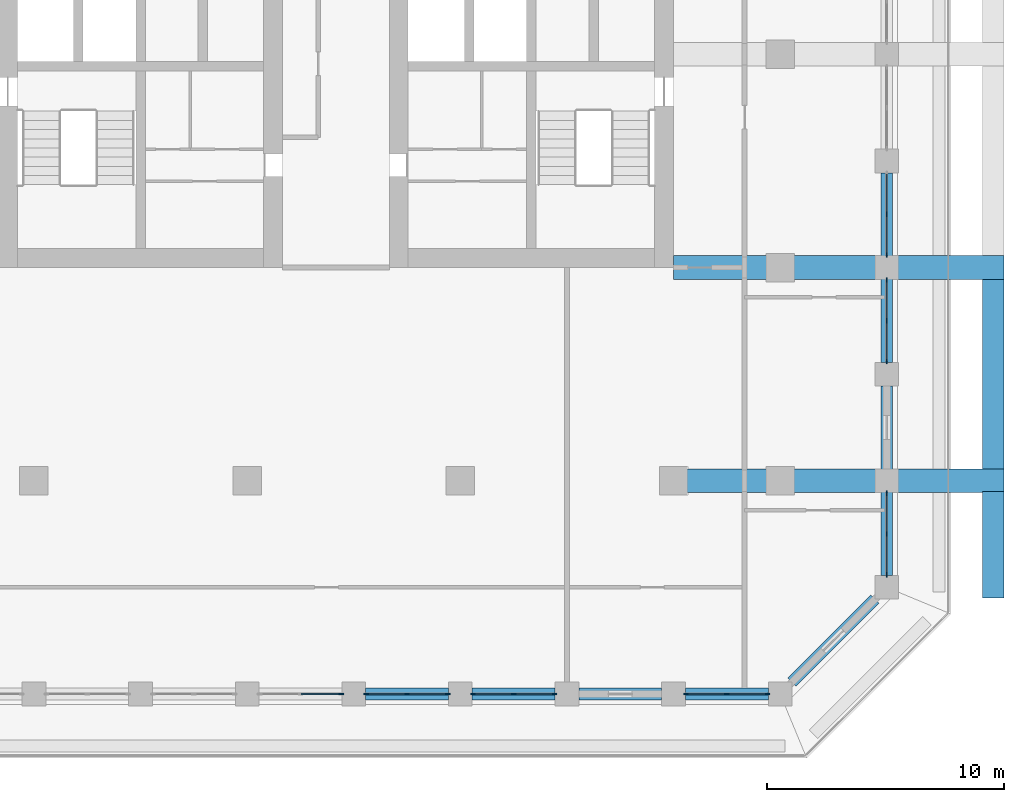
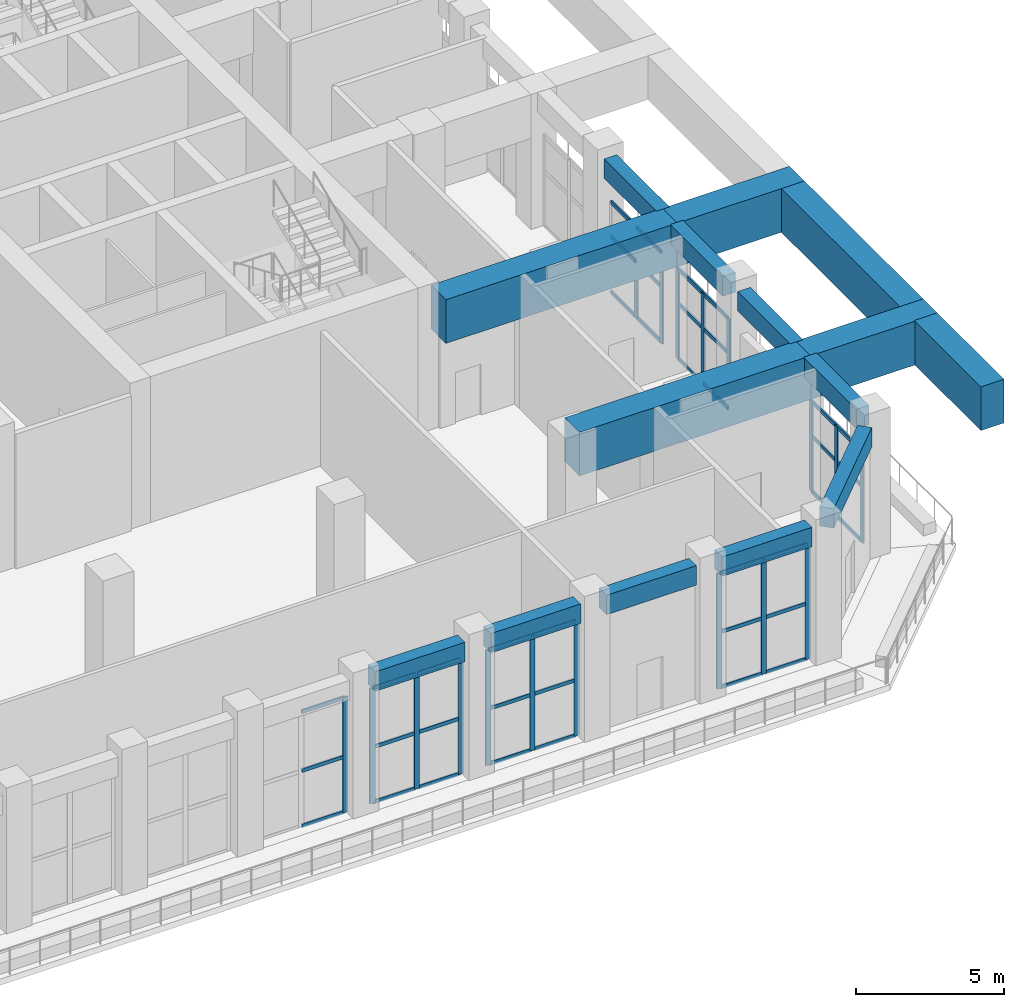
# One storey, part 4 of 25: 57 members, 15 beams, 7 elements without a shape of their own.
"""IFC4 building model written with IfcOpenShell, lengths in metres."""

import ifcopenshell
import ifcopenshell.guid

model = None  # the IFC model being written
_history = None  # IfcOwnerHistory: only IFC2X3 demands one
_inside = {}  # id of a spatial element -> (the spatial element, [elements in it])
_under = {}  # id of a project, library or spatial element -> (it, [spatial elements below it])
_declared = {}  # id of a project -> (the project, [libraries it declares])
_typed = {}  # id of a type object -> (the type object, [elements of that type])
_made_of = {}  # id of a material, layer set ... -> (it, [elements and type objects made of it])


def new_model(schema):
    """Start an empty IFC model of exactly this schema.

    Asked for "IFC4X3", IfcOpenShell would pick the latest addendum, in which some entities
    have other attributes; the version numbers below select the first issue.
    IFC2X3 requires an IfcOwnerHistory on every rooted entity: one is made here for all.
    """
    global model, _history
    if schema == "IFC4X3":
        model = ifcopenshell.file(schema_version=(4, 3, 0, 0))
    else:
        model = ifcopenshell.file(schema=schema)
    _inside.clear()
    _under.clear()
    _declared.clear()
    _typed.clear()
    _made_of.clear()
    _history = None
    if model.schema == "IFC2X3":
        org = make("IfcOrganization", Name="unknown")
        user = make(
            "IfcPersonAndOrganization",
            ThePerson=make("IfcPerson", FamilyName="unknown"),
            TheOrganization=org,
        )
        app = make(
            "IfcApplication",
            ApplicationDeveloper=org,
            Version="unknown",
            ApplicationFullName="unknown",
            ApplicationIdentifier="unknown",
        )
        _history = make(
            "IfcOwnerHistory",
            OwningUser=user,
            OwningApplication=app,
            ChangeAction="ADDED",
            CreationDate=0,
        )
    return model


def make(cls, **values):
    """One entity of the class cls with the attributes given. An attribute that is None is left unset."""
    return model.create_entity(
        cls, **{name: value for name, value in values.items() if value is not None}
    )


def rooted(cls, **values):
    """An entity with a GlobalId (a new one), such as an element, a storey or a relation."""
    return make(cls, GlobalId=ifcopenshell.guid.new(), OwnerHistory=_history, **values)


def si_unit(unit_type, name, prefix=None):
    """IfcSIUnit, for example si_unit("LENGTHUNIT", "METRE", prefix="MILLI")."""
    return make("IfcSIUnit", UnitType=unit_type, Prefix=prefix, Name=name)


def assignment(units):
    """IfcUnitAssignment: the units of a project."""
    return None if units is None else make("IfcUnitAssignment", Units=units)


def point(xyz):
    """IfcCartesianPoint."""
    return None if xyz is None else make("IfcCartesianPoint", Coordinates=xyz)


def direction(xyz):
    """IfcDirection."""
    return None if xyz is None else make("IfcDirection", DirectionRatios=xyz)


def frame(location, z_axis=None, x_axis=None):
    """IfcAxis2Placement3D, a coordinate frame: its origin and axes. An axis left out is left unset."""
    return make(
        "IfcAxis2Placement3D",
        Location=point(location),
        Axis=direction(z_axis),
        RefDirection=direction(x_axis),
    )


def frame_2d(location, x_axis=None):
    """IfcAxis2Placement2D, a coordinate frame in the plane: its origin and x axis."""
    return make(
        "IfcAxis2Placement2D", Location=point(location), RefDirection=direction(x_axis)
    )


def origin():
    """The frame at (0, 0, 0) with its axes left unset."""
    return frame((0.0, 0.0, 0.0))


def origin_2d():
    """The frame at (0, 0) in the plane with its x axis left unset."""
    return frame_2d((0.0, 0.0))


def place(relative_to, where):
    """IfcLocalPlacement: puts the frame where relative to a parent placement (None: the world)."""
    return make(
        "IfcLocalPlacement", PlacementRelTo=relative_to, RelativePlacement=where
    )


def context(
    kind, dimensions, precision=None, world=None, true_north=None, identifier=None
):
    """IfcGeometricRepresentationContext, for example the 3D "Model" context."""
    return make(
        "IfcGeometricRepresentationContext",
        ContextIdentifier=identifier,
        ContextType=kind,
        CoordinateSpaceDimension=dimensions,
        Precision=precision,
        WorldCoordinateSystem=world,
        TrueNorth=true_north,
    )


def subcontext(parent, identifier, kind, view, scale=None):
    """IfcGeometricRepresentationSubContext, for example "Body" below "Model"."""
    return make(
        "IfcGeometricRepresentationSubContext",
        ContextIdentifier=identifier,
        ContextType=kind,
        ParentContext=parent,
        TargetScale=scale,
        TargetView=view,
    )


def project(units=None, contexts=None):
    """IfcProject with its units and contexts."""
    return rooted(
        "IfcProject",
        Name="project",
        RepresentationContexts=contexts,
        UnitsInContext=assignment(units),
    )


def spatial(cls, under=None, at=None, **own):
    """A site, building, storey or space (cls), placed at a placement, below another one or the project."""
    s = rooted(cls, ObjectPlacement=at, **own)
    if under is not None:
        _under.setdefault(under.id(), (under, []))[1].append(s)
    return s


def profile(cls, at=None, kind="AREA", **sizes):
    """A parametric profile (cls). Its sizes go by their IFC names, for example OverallWidth=200.0."""
    return make(cls, ProfileType=kind, Position=at, **sizes)


def rectangle(**sizes):
    """IfcRectangleProfileDef."""
    return profile("IfcRectangleProfileDef", **sizes)


def extrude(swept, where, along, depth):
    """IfcExtrudedAreaSolid: the profile swept, set in the frame where, extruded along a direction by depth."""
    return make(
        "IfcExtrudedAreaSolid",
        SweptArea=swept,
        Position=where,
        ExtrudedDirection=direction(along),
        Depth=depth,
    )


def shape(context_of_items, identifier, shape_type, items):
    """IfcShapeRepresentation: the items that make up one representation, for example the "Body"."""
    return make(
        "IfcShapeRepresentation",
        ContextOfItems=context_of_items,
        RepresentationIdentifier=identifier,
        RepresentationType=shape_type,
        Items=items,
    )


def material(Name=None, Category=None):
    """IfcMaterial."""
    return make("IfcMaterial", Name=Name, Category=Category)


def material_profile(
    of_material, cross_section, Name=None, Category=None, Priority=None
):
    """IfcMaterialProfile: a cross section and its material."""
    return make(
        "IfcMaterialProfile",
        Name=Name,
        Material=of_material,
        Profile=cross_section,
        Priority=Priority,
        Category=Category,
    )


def profile_set(profiles, Name=None, composite=None):
    """IfcMaterialProfileSet."""
    return make(
        "IfcMaterialProfileSet",
        Name=Name,
        MaterialProfiles=profiles,
        CompositeProfile=composite,
    )


def made_of(thing, what):
    """Note that an element or type object is made of a material, layer set ...; save() writes the relation."""
    if what is not None:
        _made_of.setdefault(what.id(), (what, []))[1].append(thing)
    return thing


def type_object(cls, material=None, **own):
    """A type object (cls), such as IfcWallType, which elements share."""
    return made_of(rooted(cls, **own), material)


def element(
    cls,
    number,
    at=None,
    inside=None,
    cuts=None,
    type_object=None,
    material=None,
    context=None,
    identifier="Body",
    shape_type=None,
    held_by="IfcProductDefinitionShape",
    body=None,
    shapes=None,
    **own,
):
    """One element of the class cls, such as IfcWall. Its Tag is "e" and its number.

    at: its placement. inside: the storey or other place that contains it. cuts: it is an
    opening in that element (IfcRelVoidsElement). A single representation is given by context,
    identifier, shape_type and body (its items); several are given by shapes. held_by: the class
    of the entity that holds the representations. save() writes the other relations.
    """
    e = rooted(cls, Tag="e%d" % number, ObjectPlacement=at, **own)
    if body is not None:
        shapes = [shape(context, identifier, shape_type, body)]
    if shapes is not None:
        e.Representation = make(held_by, Representations=shapes)
    if inside is not None:
        _inside.setdefault(inside.id(), (inside, []))[1].append(e)
    if cuts is not None:
        rooted(
            "IfcRelVoidsElement", RelatingBuildingElement=cuts, RelatedOpeningElement=e
        )
    if type_object is not None:
        _typed.setdefault(type_object.id(), (type_object, []))[1].append(e)
    return made_of(e, material)


def aggregate(whole, parts):
    """IfcRelAggregates: a whole, such as a stair, and the parts it consists of."""
    return rooted("IfcRelAggregates", RelatingObject=whole, RelatedObjects=parts)


def save(model, path):
    """Write the relations noted so far, then the file.

    IfcRelAggregates (storeys below a building ...), IfcRelContainedInSpatialStructure (elements
    in a storey), IfcRelDefinesByType, IfcRelAssociatesMaterial and IfcRelDeclares: one each for
    every whole, place, type object, material and project.
    """
    for whole, parts in _under.values():
        aggregate(whole, parts)
    for where, things in _inside.values():
        rooted(
            "IfcRelContainedInSpatialStructure",
            RelatedElements=things,
            RelatingStructure=where,
        )
    for kind, things in _typed.values():
        rooted("IfcRelDefinesByType", RelatedObjects=things, RelatingType=kind)
    for what, things in _made_of.values():
        rooted("IfcRelAssociatesMaterial", RelatedObjects=things, RelatingMaterial=what)
    for by, libraries in _declared.values():
        rooted("IfcRelDeclares", RelatingContext=by, RelatedDefinitions=libraries)
    model.write(path)


model = new_model("IFC4")

# Units and contexts
model_context = context("Model", 3, precision=1e-05, world=origin(), true_north=direction((0.0, 1.0)))
body_context = subcontext(model_context, "Body", "Model", "MODEL_VIEW")
ifc_project = project(units=[si_unit("LENGTHUNIT", "METRE"), si_unit("AREAUNIT", "SQUARE_METRE"), si_unit("VOLUMEUNIT", "CUBIC_METRE"), si_unit("PLANEANGLEUNIT", "RADIAN"), si_unit("MASSUNIT", "GRAM", prefix="KILO")], contexts=[model_context])

# Site, building, storey
site_placement = place(None, origin())
site = spatial("IfcSite", under=ifc_project, at=site_placement, CompositionType="ELEMENT")
building_placement = place(site_placement, origin())
building = spatial("IfcBuilding", under=site, at=building_placement, Name="Corbel Stack Research Tower", CompositionType="ELEMENT")
storey_placement = place(building_placement, frame((0.0, 0.0, 185.5)))
storey = spatial("IfcBuildingStorey", under=building, at=storey_placement, Name="L42", CompositionType="ELEMENT", Elevation=185.5)

# Curtain wall, member
ifc_material_1 = material(Name="Aluminium frame, clear glass", Category="aluminium")
curtain_wall_type = type_object("IfcCurtainWallType", Name="Upper amenity floor curtain wall CW3", PredefinedType="NOTDEFINED", material=ifc_material_1)
curtain_wall_1_placement = place(storey_placement, origin())
curtain_wall_1 = element("IfcCurtainWall", 1, at=curtain_wall_1_placement, inside=storey, type_object=curtain_wall_type, Name="Curtain wall CW3 L42 S06", PredefinedType="NOTDEFINED")
ifc_material_2 = material(Name="Aluminium mullion", Category="aluminium")
ifc_material_profile_1 = material_profile(ifc_material_2, rectangle(XDim=0.06005859375, YDim=0.199951171875, at=origin_2d()), Name="Mullion 60 x 200")
ifc_profile_set_1 = profile_set([ifc_material_profile_1], Name="Aluminium mullion")
member_type_1 = type_object("IfcMemberType", Name="Curtain wall mullion 60 x 200", PredefinedType="MULLION", material=ifc_profile_set_1)
member_1_placement = place(storey_placement, frame((3.969970703125, -27.0, 0.0), z_axis=(0.0, 0.0, 1.0), x_axis=(0.0, 1.0, 0.0)))
member_1 = element("IfcMember", 2, at=member_1_placement, type_object=member_type_1, Name="CW3 mullion 3", PredefinedType="MULLION", context=body_context, shape_type="SweptSolid", body=[
    extrude(rectangle(XDim=0.06005859375, YDim=0.199951171875, at=origin_2d()), origin(), (0.0, 0.0, 1.0), 4.75),
])

# Curtain wall, members
curtain_wall_2_placement = place(storey_placement, origin())
curtain_wall_2 = element("IfcCurtainWall", 3, at=curtain_wall_2_placement, inside=storey, type_object=curtain_wall_type, Name="Curtain wall CW3 L42 S07", PredefinedType="NOTDEFINED")
member_2_placement = place(storey_placement, frame((5.030029296875, -27.0, 0.0), z_axis=(0.0, 0.0, 1.0), x_axis=(0.0, 1.0, 0.0)))
member_2 = element("IfcMember", 4, at=member_2_placement, type_object=member_type_1, Name="CW3 mullion 1", PredefinedType="MULLION", context=body_context, shape_type="SweptSolid", body=[
    extrude(rectangle(XDim=0.06005859375, YDim=0.199951171875, at=origin_2d()), origin(), (0.0, 0.0, 1.0), 4.75),
])
member_3_placement = place(storey_placement, frame((6.75, -27.0, 0.0), z_axis=(0.0, 0.0, 1.0), x_axis=(0.0, 1.0, 0.0)))
member_3 = element("IfcMember", 5, at=member_3_placement, type_object=member_type_1, Name="CW3 mullion 2", PredefinedType="MULLION", context=body_context, shape_type="SweptSolid", body=[
    extrude(rectangle(XDim=0.06005859375, YDim=0.199951171875, at=origin_2d()), origin(), (0.0, 0.0, 1.0), 4.75),
])
member_4_placement = place(storey_placement, frame((8.469970703125, -27.0, 0.0), z_axis=(0.0, 0.0, 1.0), x_axis=(0.0, 1.0, 0.0)))
member_4 = element("IfcMember", 6, at=member_4_placement, type_object=member_type_1, Name="CW3 mullion 3", PredefinedType="MULLION", context=body_context, shape_type="SweptSolid", body=[
    extrude(rectangle(XDim=0.06005859375, YDim=0.199951171875, at=origin_2d()), origin(), (0.0, 0.0, 1.0), 4.75),
])

curtain_wall_3_placement = place(storey_placement, origin())
curtain_wall_3 = element("IfcCurtainWall", 7, at=curtain_wall_3_placement, inside=storey, type_object=curtain_wall_type, Name="Curtain wall CW3 L42 S08", PredefinedType="NOTDEFINED")
member_5_placement = place(storey_placement, frame((9.530029296875, -27.0, 0.0), z_axis=(0.0, 0.0, 1.0), x_axis=(0.0, 1.0, 0.0)))
member_5 = element("IfcMember", 8, at=member_5_placement, type_object=member_type_1, Name="CW3 mullion 1", PredefinedType="MULLION", context=body_context, shape_type="SweptSolid", body=[
    extrude(rectangle(XDim=0.06005859375, YDim=0.199951171875, at=origin_2d()), origin(), (0.0, 0.0, 1.0), 4.75),
])
member_6_placement = place(storey_placement, frame((11.25, -27.0, 0.0), z_axis=(0.0, 0.0, 1.0), x_axis=(0.0, 1.0, 0.0)))
member_6 = element("IfcMember", 9, at=member_6_placement, type_object=member_type_1, Name="CW3 mullion 2", PredefinedType="MULLION", context=body_context, shape_type="SweptSolid", body=[
    extrude(rectangle(XDim=0.06005859375, YDim=0.199951171875, at=origin_2d()), origin(), (0.0, 0.0, 1.0), 4.75),
])
member_7_placement = place(storey_placement, frame((12.969970703125, -27.0, 0.0), z_axis=(0.0, 0.0, 1.0), x_axis=(0.0, 1.0, 0.0)))
member_7 = element("IfcMember", 10, at=member_7_placement, type_object=member_type_1, Name="CW3 mullion 3", PredefinedType="MULLION", context=body_context, shape_type="SweptSolid", body=[
    extrude(rectangle(XDim=0.06005859375, YDim=0.199951171875, at=origin_2d()), origin(), (0.0, 0.0, 1.0), 4.75),
])

curtain_wall_4_placement = place(storey_placement, origin())
curtain_wall_4 = element("IfcCurtainWall", 11, at=curtain_wall_4_placement, inside=storey, type_object=curtain_wall_type, Name="Curtain wall CW3 L42 S10", PredefinedType="NOTDEFINED")
member_8_placement = place(storey_placement, frame((18.530029296875, -27.0, 0.0), z_axis=(0.0, 0.0, 1.0), x_axis=(0.0, 1.0, 0.0)))
member_8 = element("IfcMember", 12, at=member_8_placement, type_object=member_type_1, Name="CW3 mullion 1", PredefinedType="MULLION", context=body_context, shape_type="SweptSolid", body=[
    extrude(rectangle(XDim=0.06005859375, YDim=0.199951171875, at=origin_2d()), origin(), (0.0, 0.0, 1.0), 4.75),
])
member_9_placement = place(storey_placement, frame((20.25, -27.0, 0.0), z_axis=(0.0, 0.0, 1.0), x_axis=(0.0, 1.0, 0.0)))
member_9 = element("IfcMember", 13, at=member_9_placement, type_object=member_type_1, Name="CW3 mullion 2", PredefinedType="MULLION", context=body_context, shape_type="SweptSolid", body=[
    extrude(rectangle(XDim=0.06005859375, YDim=0.199951171875, at=origin_2d()), origin(), (0.0, 0.0, 1.0), 4.75),
])
member_10_placement = place(storey_placement, frame((21.969970703125, -27.0, 0.0), z_axis=(0.0, 0.0, 1.0), x_axis=(0.0, 1.0, 0.0)))
member_10 = element("IfcMember", 14, at=member_10_placement, type_object=member_type_1, Name="CW3 mullion 3", PredefinedType="MULLION", context=body_context, shape_type="SweptSolid", body=[
    extrude(rectangle(XDim=0.06005859375, YDim=0.199951171875, at=origin_2d()), origin(), (0.0, 0.0, 1.0), 4.75),
])

curtain_wall_5_placement = place(storey_placement, origin())
curtain_wall_5 = element("IfcCurtainWall", 15, at=curtain_wall_5_placement, inside=storey, type_object=curtain_wall_type, Name="Curtain wall CW3 L42 E01", PredefinedType="NOTDEFINED")
member_11_placement = place(storey_placement, frame((27.0, -21.969970703125, 0.0), z_axis=(0.0, 0.0, 1.0), x_axis=(-1.0, 0.0, 0.0)))
member_11 = element("IfcMember", 16, at=member_11_placement, type_object=member_type_1, Name="CW3 mullion 1", PredefinedType="MULLION", context=body_context, shape_type="SweptSolid", body=[
    extrude(rectangle(XDim=0.06005859375, YDim=0.199951171875, at=origin_2d()), origin(), (0.0, 0.0, 1.0), 3.75),
])
member_12_placement = place(storey_placement, frame((27.0, -20.25, 0.0), z_axis=(0.0, 0.0, 1.0), x_axis=(-1.0, 0.0, 0.0)))
member_12 = element("IfcMember", 17, at=member_12_placement, type_object=member_type_1, Name="CW3 mullion 2", PredefinedType="MULLION", context=body_context, shape_type="SweptSolid", body=[
    extrude(rectangle(XDim=0.06005859375, YDim=0.199951171875, at=origin_2d()), origin(), (0.0, 0.0, 1.0), 3.75),
])
member_13_placement = place(storey_placement, frame((27.0, -18.530029296875, 0.0), z_axis=(0.0, 0.0, 1.0), x_axis=(-1.0, 0.0, 0.0)))
member_13 = element("IfcMember", 18, at=member_13_placement, type_object=member_type_1, Name="CW3 mullion 3", PredefinedType="MULLION", context=body_context, shape_type="SweptSolid", body=[
    extrude(rectangle(XDim=0.06005859375, YDim=0.199951171875, at=origin_2d()), origin(), (0.0, 0.0, 1.0), 3.75),
])

curtain_wall_6_placement = place(storey_placement, origin())
curtain_wall_6 = element("IfcCurtainWall", 19, at=curtain_wall_6_placement, inside=storey, type_object=curtain_wall_type, Name="Curtain wall CW3 L42 E03", PredefinedType="NOTDEFINED")
member_14_placement = place(storey_placement, frame((27.0, -12.969970703125, 0.0), z_axis=(0.0, 0.0, 1.0), x_axis=(-1.0, 0.0, 0.0)))
member_14 = element("IfcMember", 20, at=member_14_placement, type_object=member_type_1, Name="CW3 mullion 1", PredefinedType="MULLION", context=body_context, shape_type="SweptSolid", body=[
    extrude(rectangle(XDim=0.06005859375, YDim=0.199951171875, at=origin_2d()), origin(), (0.0, 0.0, 1.0), 3.75),
])
member_15_placement = place(storey_placement, frame((27.0, -11.25, 0.0), z_axis=(0.0, 0.0, 1.0), x_axis=(-1.0, 0.0, 0.0)))
member_15 = element("IfcMember", 21, at=member_15_placement, type_object=member_type_1, Name="CW3 mullion 2", PredefinedType="MULLION", context=body_context, shape_type="SweptSolid", body=[
    extrude(rectangle(XDim=0.06005859375, YDim=0.199951171875, at=origin_2d()), origin(), (0.0, 0.0, 1.0), 3.75),
])
member_16_placement = place(storey_placement, frame((27.0, -9.530029296875, 0.0), z_axis=(0.0, 0.0, 1.0), x_axis=(-1.0, 0.0, 0.0)))
member_16 = element("IfcMember", 22, at=member_16_placement, type_object=member_type_1, Name="CW3 mullion 3", PredefinedType="MULLION", context=body_context, shape_type="SweptSolid", body=[
    extrude(rectangle(XDim=0.06005859375, YDim=0.199951171875, at=origin_2d()), origin(), (0.0, 0.0, 1.0), 3.75),
])

curtain_wall_7_placement = place(storey_placement, origin())
curtain_wall_7 = element("IfcCurtainWall", 23, at=curtain_wall_7_placement, inside=storey, type_object=curtain_wall_type, Name="Curtain wall CW3 L42 E04", PredefinedType="NOTDEFINED")
member_17_placement = place(storey_placement, frame((27.0, -8.469970703125, 0.0), z_axis=(0.0, 0.0, 1.0), x_axis=(-1.0, 0.0, 0.0)))
member_17 = element("IfcMember", 24, at=member_17_placement, type_object=member_type_1, Name="CW3 mullion 1", PredefinedType="MULLION", context=body_context, shape_type="SweptSolid", body=[
    extrude(rectangle(XDim=0.06005859375, YDim=0.199951171875, at=origin_2d()), origin(), (0.0, 0.0, 1.0), 3.75),
])
member_18_placement = place(storey_placement, frame((27.0, -6.75, 0.0), z_axis=(0.0, 0.0, 1.0), x_axis=(-1.0, 0.0, 0.0)))
member_18 = element("IfcMember", 25, at=member_18_placement, type_object=member_type_1, Name="CW3 mullion 2", PredefinedType="MULLION", context=body_context, shape_type="SweptSolid", body=[
    extrude(rectangle(XDim=0.06005859375, YDim=0.199951171875, at=origin_2d()), origin(), (0.0, 0.0, 1.0), 3.75),
])

# Member
ifc_material_3 = material(Name="Aluminium transom", Category="aluminium")
ifc_material_profile_2 = material_profile(ifc_material_3, rectangle(XDim=0.06005859375, YDim=0.14990234375, at=origin_2d()), Name="Transom 60 x 150")
ifc_profile_set_2 = profile_set([ifc_material_profile_2], Name="Aluminium transom")
member_type_2 = type_object("IfcMemberType", Name="Curtain wall transom 60 x 150", PredefinedType="USERDEFINED", material=ifc_profile_set_2)
member_19_placement = place(storey_placement, frame((2.280029296875, -27.0, 0.030029296875), z_axis=(1.0, 0.0, 0.0), x_axis=(0.0, 1.0, 0.0)))
member_19 = element("IfcMember", 26, at=member_19_placement, type_object=member_type_2, Name="CW3 transom 2.1", ObjectType="TRANSOM", PredefinedType="USERDEFINED", context=body_context, shape_type="SweptSolid", body=[
    extrude(rectangle(XDim=0.06005859375, YDim=0.14990234375, at=origin_2d()), origin(), (0.0, 0.0, 1.0), 1.659912109375),
])

member_20_placement = place(storey_placement, frame((2.280029296875, -27.0, 2.300048828125), z_axis=(1.0, 0.0, 0.0), x_axis=(0.0, 1.0, 0.0)))
member_20 = element("IfcMember", 27, at=member_20_placement, type_object=member_type_2, Name="CW3 transom 2.2", ObjectType="TRANSOM", PredefinedType="USERDEFINED", context=body_context, shape_type="SweptSolid", body=[
    extrude(rectangle(XDim=0.06005859375, YDim=0.14990234375, at=origin_2d()), origin(), (0.0, 0.0, 1.0), 1.659912109375),
])

member_21_placement = place(storey_placement, frame((2.280029296875, -27.0, 4.719970703125), z_axis=(1.0, 0.0, 0.0), x_axis=(0.0, 1.0, 0.0)))
member_21 = element("IfcMember", 28, at=member_21_placement, type_object=member_type_2, Name="CW3 transom 2.3", ObjectType="TRANSOM", PredefinedType="USERDEFINED", context=body_context, shape_type="SweptSolid", body=[
    extrude(rectangle(XDim=0.06005859375, YDim=0.14990234375, at=origin_2d()), origin(), (0.0, 0.0, 1.0), 1.659912109375),
])

aggregate(curtain_wall_1, [member_1, member_19, member_20, member_21])

member_22_placement = place(storey_placement, frame((5.06005859375, -27.0, 0.030029296875), z_axis=(1.0, 0.0, 0.0), x_axis=(0.0, 1.0, 0.0)))
member_22 = element("IfcMember", 29, at=member_22_placement, type_object=member_type_2, Name="CW3 transom 1.1", ObjectType="TRANSOM", PredefinedType="USERDEFINED", context=body_context, shape_type="SweptSolid", body=[
    extrude(rectangle(XDim=0.06005859375, YDim=0.14990234375, at=origin_2d()), origin(), (0.0, 0.0, 1.0), 1.659912109375),
])

member_23_placement = place(storey_placement, frame((5.06005859375, -27.0, 2.300048828125), z_axis=(1.0, 0.0, 0.0), x_axis=(0.0, 1.0, 0.0)))
member_23 = element("IfcMember", 30, at=member_23_placement, type_object=member_type_2, Name="CW3 transom 1.2", ObjectType="TRANSOM", PredefinedType="USERDEFINED", context=body_context, shape_type="SweptSolid", body=[
    extrude(rectangle(XDim=0.06005859375, YDim=0.14990234375, at=origin_2d()), origin(), (0.0, 0.0, 1.0), 1.659912109375),
])

member_24_placement = place(storey_placement, frame((5.06005859375, -27.0, 4.719970703125), z_axis=(1.0, 0.0, 0.0), x_axis=(0.0, 1.0, 0.0)))
member_24 = element("IfcMember", 31, at=member_24_placement, type_object=member_type_2, Name="CW3 transom 1.3", ObjectType="TRANSOM", PredefinedType="USERDEFINED", context=body_context, shape_type="SweptSolid", body=[
    extrude(rectangle(XDim=0.06005859375, YDim=0.14990234375, at=origin_2d()), origin(), (0.0, 0.0, 1.0), 1.659912109375),
])

member_25_placement = place(storey_placement, frame((6.780029296875, -27.0, 0.030029296875), z_axis=(1.0, 0.0, 0.0), x_axis=(0.0, 1.0, 0.0)))
member_25 = element("IfcMember", 32, at=member_25_placement, type_object=member_type_2, Name="CW3 transom 2.1", ObjectType="TRANSOM", PredefinedType="USERDEFINED", context=body_context, shape_type="SweptSolid", body=[
    extrude(rectangle(XDim=0.06005859375, YDim=0.14990234375, at=origin_2d()), origin(), (0.0, 0.0, 1.0), 1.659912109375),
])

member_26_placement = place(storey_placement, frame((6.780029296875, -27.0, 2.300048828125), z_axis=(1.0, 0.0, 0.0), x_axis=(0.0, 1.0, 0.0)))
member_26 = element("IfcMember", 33, at=member_26_placement, type_object=member_type_2, Name="CW3 transom 2.2", ObjectType="TRANSOM", PredefinedType="USERDEFINED", context=body_context, shape_type="SweptSolid", body=[
    extrude(rectangle(XDim=0.06005859375, YDim=0.14990234375, at=origin_2d()), origin(), (0.0, 0.0, 1.0), 1.659912109375),
])

member_27_placement = place(storey_placement, frame((6.780029296875, -27.0, 4.719970703125), z_axis=(1.0, 0.0, 0.0), x_axis=(0.0, 1.0, 0.0)))
member_27 = element("IfcMember", 34, at=member_27_placement, type_object=member_type_2, Name="CW3 transom 2.3", ObjectType="TRANSOM", PredefinedType="USERDEFINED", context=body_context, shape_type="SweptSolid", body=[
    extrude(rectangle(XDim=0.06005859375, YDim=0.14990234375, at=origin_2d()), origin(), (0.0, 0.0, 1.0), 1.659912109375),
])

aggregate(curtain_wall_2, [member_2, member_3, member_4, member_22, member_23, member_24, member_25, member_26, member_27])

member_28_placement = place(storey_placement, frame((9.56005859375, -27.0, 0.030029296875), z_axis=(1.0, 0.0, 0.0), x_axis=(0.0, 1.0, 0.0)))
member_28 = element("IfcMember", 35, at=member_28_placement, type_object=member_type_2, Name="CW3 transom 1.1", ObjectType="TRANSOM", PredefinedType="USERDEFINED", context=body_context, shape_type="SweptSolid", body=[
    extrude(rectangle(XDim=0.06005859375, YDim=0.14990234375, at=origin_2d()), origin(), (0.0, 0.0, 1.0), 1.659912109375),
])

member_29_placement = place(storey_placement, frame((9.56005859375, -27.0, 2.300048828125), z_axis=(1.0, 0.0, 0.0), x_axis=(0.0, 1.0, 0.0)))
member_29 = element("IfcMember", 36, at=member_29_placement, type_object=member_type_2, Name="CW3 transom 1.2", ObjectType="TRANSOM", PredefinedType="USERDEFINED", context=body_context, shape_type="SweptSolid", body=[
    extrude(rectangle(XDim=0.06005859375, YDim=0.14990234375, at=origin_2d()), origin(), (0.0, 0.0, 1.0), 1.659912109375),
])

member_30_placement = place(storey_placement, frame((9.56005859375, -27.0, 4.719970703125), z_axis=(1.0, 0.0, 0.0), x_axis=(0.0, 1.0, 0.0)))
member_30 = element("IfcMember", 37, at=member_30_placement, type_object=member_type_2, Name="CW3 transom 1.3", ObjectType="TRANSOM", PredefinedType="USERDEFINED", context=body_context, shape_type="SweptSolid", body=[
    extrude(rectangle(XDim=0.06005859375, YDim=0.14990234375, at=origin_2d()), origin(), (0.0, 0.0, 1.0), 1.659912109375),
])

member_31_placement = place(storey_placement, frame((11.280029296875, -27.0, 0.030029296875), z_axis=(1.0, 0.0, 0.0), x_axis=(0.0, 1.0, 0.0)))
member_31 = element("IfcMember", 38, at=member_31_placement, type_object=member_type_2, Name="CW3 transom 2.1", ObjectType="TRANSOM", PredefinedType="USERDEFINED", context=body_context, shape_type="SweptSolid", body=[
    extrude(rectangle(XDim=0.06005859375, YDim=0.14990234375, at=origin_2d()), origin(), (0.0, 0.0, 1.0), 1.659912109375),
])

member_32_placement = place(storey_placement, frame((11.280029296875, -27.0, 2.300048828125), z_axis=(1.0, 0.0, 0.0), x_axis=(0.0, 1.0, 0.0)))
member_32 = element("IfcMember", 39, at=member_32_placement, type_object=member_type_2, Name="CW3 transom 2.2", ObjectType="TRANSOM", PredefinedType="USERDEFINED", context=body_context, shape_type="SweptSolid", body=[
    extrude(rectangle(XDim=0.06005859375, YDim=0.14990234375, at=origin_2d()), origin(), (0.0, 0.0, 1.0), 1.659912109375),
])

member_33_placement = place(storey_placement, frame((11.280029296875, -27.0, 4.719970703125), z_axis=(1.0, 0.0, 0.0), x_axis=(0.0, 1.0, 0.0)))
member_33 = element("IfcMember", 40, at=member_33_placement, type_object=member_type_2, Name="CW3 transom 2.3", ObjectType="TRANSOM", PredefinedType="USERDEFINED", context=body_context, shape_type="SweptSolid", body=[
    extrude(rectangle(XDim=0.06005859375, YDim=0.14990234375, at=origin_2d()), origin(), (0.0, 0.0, 1.0), 1.659912109375),
])

aggregate(curtain_wall_3, [member_5, member_6, member_7, member_28, member_29, member_30, member_31, member_32, member_33])

member_34_placement = place(storey_placement, frame((18.56005859375, -27.0, 0.030029296875), z_axis=(1.0, 0.0, 0.0), x_axis=(0.0, 1.0, 0.0)))
member_34 = element("IfcMember", 41, at=member_34_placement, type_object=member_type_2, Name="CW3 transom 1.1", ObjectType="TRANSOM", PredefinedType="USERDEFINED", context=body_context, shape_type="SweptSolid", body=[
    extrude(rectangle(XDim=0.06005859375, YDim=0.14990234375, at=origin_2d()), origin(), (0.0, 0.0, 1.0), 1.659912109375),
])

member_35_placement = place(storey_placement, frame((18.56005859375, -27.0, 2.300048828125), z_axis=(1.0, 0.0, 0.0), x_axis=(0.0, 1.0, 0.0)))
member_35 = element("IfcMember", 42, at=member_35_placement, type_object=member_type_2, Name="CW3 transom 1.2", ObjectType="TRANSOM", PredefinedType="USERDEFINED", context=body_context, shape_type="SweptSolid", body=[
    extrude(rectangle(XDim=0.06005859375, YDim=0.14990234375, at=origin_2d()), origin(), (0.0, 0.0, 1.0), 1.659912109375),
])

member_36_placement = place(storey_placement, frame((18.56005859375, -27.0, 4.719970703125), z_axis=(1.0, 0.0, 0.0), x_axis=(0.0, 1.0, 0.0)))
member_36 = element("IfcMember", 43, at=member_36_placement, type_object=member_type_2, Name="CW3 transom 1.3", ObjectType="TRANSOM", PredefinedType="USERDEFINED", context=body_context, shape_type="SweptSolid", body=[
    extrude(rectangle(XDim=0.06005859375, YDim=0.14990234375, at=origin_2d()), origin(), (0.0, 0.0, 1.0), 1.659912109375),
])

member_37_placement = place(storey_placement, frame((20.280029296875, -27.0, 0.030029296875), z_axis=(1.0, 0.0, 0.0), x_axis=(0.0, 1.0, 0.0)))
member_37 = element("IfcMember", 44, at=member_37_placement, type_object=member_type_2, Name="CW3 transom 2.1", ObjectType="TRANSOM", PredefinedType="USERDEFINED", context=body_context, shape_type="SweptSolid", body=[
    extrude(rectangle(XDim=0.06005859375, YDim=0.14990234375, at=origin_2d()), origin(), (0.0, 0.0, 1.0), 1.659912109375),
])

member_38_placement = place(storey_placement, frame((20.280029296875, -27.0, 2.300048828125), z_axis=(1.0, 0.0, 0.0), x_axis=(0.0, 1.0, 0.0)))
member_38 = element("IfcMember", 45, at=member_38_placement, type_object=member_type_2, Name="CW3 transom 2.2", ObjectType="TRANSOM", PredefinedType="USERDEFINED", context=body_context, shape_type="SweptSolid", body=[
    extrude(rectangle(XDim=0.06005859375, YDim=0.14990234375, at=origin_2d()), origin(), (0.0, 0.0, 1.0), 1.659912109375),
])

member_39_placement = place(storey_placement, frame((20.280029296875, -27.0, 4.719970703125), z_axis=(1.0, 0.0, 0.0), x_axis=(0.0, 1.0, 0.0)))
member_39 = element("IfcMember", 46, at=member_39_placement, type_object=member_type_2, Name="CW3 transom 2.3", ObjectType="TRANSOM", PredefinedType="USERDEFINED", context=body_context, shape_type="SweptSolid", body=[
    extrude(rectangle(XDim=0.06005859375, YDim=0.14990234375, at=origin_2d()), origin(), (0.0, 0.0, 1.0), 1.659912109375),
])

aggregate(curtain_wall_4, [member_8, member_9, member_10, member_34, member_35, member_36, member_37, member_38, member_39])

member_40_placement = place(storey_placement, frame((27.0, -21.93994140625, 0.030029296875), z_axis=(0.0, 1.0, 0.0), x_axis=(-1.0, 0.0, 0.0)))
member_40 = element("IfcMember", 47, at=member_40_placement, type_object=member_type_2, Name="CW3 transom 1.1", ObjectType="TRANSOM", PredefinedType="USERDEFINED", context=body_context, shape_type="SweptSolid", body=[
    extrude(rectangle(XDim=0.06005859375, YDim=0.14990234375, at=origin_2d()), origin(), (0.0, 0.0, 1.0), 1.659912109375),
])

member_41_placement = place(storey_placement, frame((27.0, -21.93994140625, 2.300048828125), z_axis=(0.0, 1.0, 0.0), x_axis=(-1.0, 0.0, 0.0)))
member_41 = element("IfcMember", 48, at=member_41_placement, type_object=member_type_2, Name="CW3 transom 1.2", ObjectType="TRANSOM", PredefinedType="USERDEFINED", context=body_context, shape_type="SweptSolid", body=[
    extrude(rectangle(XDim=0.06005859375, YDim=0.14990234375, at=origin_2d()), origin(), (0.0, 0.0, 1.0), 1.659912109375),
])

member_42_placement = place(storey_placement, frame((27.0, -21.93994140625, 3.719970703125), z_axis=(0.0, 1.0, 0.0), x_axis=(-1.0, 0.0, 0.0)))
member_42 = element("IfcMember", 49, at=member_42_placement, type_object=member_type_2, Name="CW3 transom 1.3", ObjectType="TRANSOM", PredefinedType="USERDEFINED", context=body_context, shape_type="SweptSolid", body=[
    extrude(rectangle(XDim=0.06005859375, YDim=0.14990234375, at=origin_2d()), origin(), (0.0, 0.0, 1.0), 1.659912109375),
])

member_43_placement = place(storey_placement, frame((27.0, -20.219970703125, 0.030029296875), z_axis=(0.0, 1.0, 0.0), x_axis=(-1.0, 0.0, 0.0)))
member_43 = element("IfcMember", 50, at=member_43_placement, type_object=member_type_2, Name="CW3 transom 2.1", ObjectType="TRANSOM", PredefinedType="USERDEFINED", context=body_context, shape_type="SweptSolid", body=[
    extrude(rectangle(XDim=0.06005859375, YDim=0.14990234375, at=origin_2d()), origin(), (0.0, 0.0, 1.0), 1.659912109375),
])

member_44_placement = place(storey_placement, frame((27.0, -20.219970703125, 2.300048828125), z_axis=(0.0, 1.0, 0.0), x_axis=(-1.0, 0.0, 0.0)))
member_44 = element("IfcMember", 51, at=member_44_placement, type_object=member_type_2, Name="CW3 transom 2.2", ObjectType="TRANSOM", PredefinedType="USERDEFINED", context=body_context, shape_type="SweptSolid", body=[
    extrude(rectangle(XDim=0.06005859375, YDim=0.14990234375, at=origin_2d()), origin(), (0.0, 0.0, 1.0), 1.659912109375),
])

member_45_placement = place(storey_placement, frame((27.0, -20.219970703125, 3.719970703125), z_axis=(0.0, 1.0, 0.0), x_axis=(-1.0, 0.0, 0.0)))
member_45 = element("IfcMember", 52, at=member_45_placement, type_object=member_type_2, Name="CW3 transom 2.3", ObjectType="TRANSOM", PredefinedType="USERDEFINED", context=body_context, shape_type="SweptSolid", body=[
    extrude(rectangle(XDim=0.06005859375, YDim=0.14990234375, at=origin_2d()), origin(), (0.0, 0.0, 1.0), 1.659912109375),
])

aggregate(curtain_wall_5, [member_11, member_12, member_13, member_40, member_41, member_42, member_43, member_44, member_45])

member_46_placement = place(storey_placement, frame((27.0, -12.93994140625, 0.030029296875), z_axis=(0.0, 1.0, 0.0), x_axis=(-1.0, 0.0, 0.0)))
member_46 = element("IfcMember", 53, at=member_46_placement, type_object=member_type_2, Name="CW3 transom 1.1", ObjectType="TRANSOM", PredefinedType="USERDEFINED", context=body_context, shape_type="SweptSolid", body=[
    extrude(rectangle(XDim=0.06005859375, YDim=0.14990234375, at=origin_2d()), origin(), (0.0, 0.0, 1.0), 1.659912109375),
])

member_47_placement = place(storey_placement, frame((27.0, -12.93994140625, 2.300048828125), z_axis=(0.0, 1.0, 0.0), x_axis=(-1.0, 0.0, 0.0)))
member_47 = element("IfcMember", 54, at=member_47_placement, type_object=member_type_2, Name="CW3 transom 1.2", ObjectType="TRANSOM", PredefinedType="USERDEFINED", context=body_context, shape_type="SweptSolid", body=[
    extrude(rectangle(XDim=0.06005859375, YDim=0.14990234375, at=origin_2d()), origin(), (0.0, 0.0, 1.0), 1.659912109375),
])

member_48_placement = place(storey_placement, frame((27.0, -12.93994140625, 3.719970703125), z_axis=(0.0, 1.0, 0.0), x_axis=(-1.0, 0.0, 0.0)))
member_48 = element("IfcMember", 55, at=member_48_placement, type_object=member_type_2, Name="CW3 transom 1.3", ObjectType="TRANSOM", PredefinedType="USERDEFINED", context=body_context, shape_type="SweptSolid", body=[
    extrude(rectangle(XDim=0.06005859375, YDim=0.14990234375, at=origin_2d()), origin(), (0.0, 0.0, 1.0), 1.659912109375),
])

member_49_placement = place(storey_placement, frame((27.0, -11.219970703125, 0.030029296875), z_axis=(0.0, 1.0, 0.0), x_axis=(-1.0, 0.0, 0.0)))
member_49 = element("IfcMember", 56, at=member_49_placement, type_object=member_type_2, Name="CW3 transom 2.1", ObjectType="TRANSOM", PredefinedType="USERDEFINED", context=body_context, shape_type="SweptSolid", body=[
    extrude(rectangle(XDim=0.06005859375, YDim=0.14990234375, at=origin_2d()), origin(), (0.0, 0.0, 1.0), 1.659912109375),
])

member_50_placement = place(storey_placement, frame((27.0, -11.219970703125, 2.300048828125), z_axis=(0.0, 1.0, 0.0), x_axis=(-1.0, 0.0, 0.0)))
member_50 = element("IfcMember", 57, at=member_50_placement, type_object=member_type_2, Name="CW3 transom 2.2", ObjectType="TRANSOM", PredefinedType="USERDEFINED", context=body_context, shape_type="SweptSolid", body=[
    extrude(rectangle(XDim=0.06005859375, YDim=0.14990234375, at=origin_2d()), origin(), (0.0, 0.0, 1.0), 1.659912109375),
])

member_51_placement = place(storey_placement, frame((27.0, -11.219970703125, 3.719970703125), z_axis=(0.0, 1.0, 0.0), x_axis=(-1.0, 0.0, 0.0)))
member_51 = element("IfcMember", 58, at=member_51_placement, type_object=member_type_2, Name="CW3 transom 2.3", ObjectType="TRANSOM", PredefinedType="USERDEFINED", context=body_context, shape_type="SweptSolid", body=[
    extrude(rectangle(XDim=0.06005859375, YDim=0.14990234375, at=origin_2d()), origin(), (0.0, 0.0, 1.0), 1.659912109375),
])

aggregate(curtain_wall_6, [member_14, member_15, member_16, member_46, member_47, member_48, member_49, member_50, member_51])

member_52_placement = place(storey_placement, frame((27.0, -8.43994140625, 0.030029296875), z_axis=(0.0, 1.0, 0.0), x_axis=(-1.0, 0.0, 0.0)))
member_52 = element("IfcMember", 59, at=member_52_placement, type_object=member_type_2, Name="CW3 transom 1.1", ObjectType="TRANSOM", PredefinedType="USERDEFINED", context=body_context, shape_type="SweptSolid", body=[
    extrude(rectangle(XDim=0.06005859375, YDim=0.14990234375, at=origin_2d()), origin(), (0.0, 0.0, 1.0), 1.659912109375),
])

member_53_placement = place(storey_placement, frame((27.0, -8.43994140625, 2.300048828125), z_axis=(0.0, 1.0, 0.0), x_axis=(-1.0, 0.0, 0.0)))
member_53 = element("IfcMember", 60, at=member_53_placement, type_object=member_type_2, Name="CW3 transom 1.2", ObjectType="TRANSOM", PredefinedType="USERDEFINED", context=body_context, shape_type="SweptSolid", body=[
    extrude(rectangle(XDim=0.06005859375, YDim=0.14990234375, at=origin_2d()), origin(), (0.0, 0.0, 1.0), 1.659912109375),
])

member_54_placement = place(storey_placement, frame((27.0, -8.43994140625, 3.719970703125), z_axis=(0.0, 1.0, 0.0), x_axis=(-1.0, 0.0, 0.0)))
member_54 = element("IfcMember", 61, at=member_54_placement, type_object=member_type_2, Name="CW3 transom 1.3", ObjectType="TRANSOM", PredefinedType="USERDEFINED", context=body_context, shape_type="SweptSolid", body=[
    extrude(rectangle(XDim=0.06005859375, YDim=0.14990234375, at=origin_2d()), origin(), (0.0, 0.0, 1.0), 1.659912109375),
])

member_55_placement = place(storey_placement, frame((27.0, -6.719970703125, 0.030029296875), z_axis=(0.0, 1.0, 0.0), x_axis=(-1.0, 0.0, 0.0)))
member_55 = element("IfcMember", 62, at=member_55_placement, type_object=member_type_2, Name="CW3 transom 2.1", ObjectType="TRANSOM", PredefinedType="USERDEFINED", context=body_context, shape_type="SweptSolid", body=[
    extrude(rectangle(XDim=0.06005859375, YDim=0.14990234375, at=origin_2d()), origin(), (0.0, 0.0, 1.0), 1.659912109375),
])

member_56_placement = place(storey_placement, frame((27.0, -6.719970703125, 2.300048828125), z_axis=(0.0, 1.0, 0.0), x_axis=(-1.0, 0.0, 0.0)))
member_56 = element("IfcMember", 63, at=member_56_placement, type_object=member_type_2, Name="CW3 transom 2.2", ObjectType="TRANSOM", PredefinedType="USERDEFINED", context=body_context, shape_type="SweptSolid", body=[
    extrude(rectangle(XDim=0.06005859375, YDim=0.14990234375, at=origin_2d()), origin(), (0.0, 0.0, 1.0), 1.659912109375),
])

member_57_placement = place(storey_placement, frame((27.0, -6.719970703125, 3.719970703125), z_axis=(0.0, 1.0, 0.0), x_axis=(-1.0, 0.0, 0.0)))
member_57 = element("IfcMember", 64, at=member_57_placement, type_object=member_type_2, Name="CW3 transom 2.3", ObjectType="TRANSOM", PredefinedType="USERDEFINED", context=body_context, shape_type="SweptSolid", body=[
    extrude(rectangle(XDim=0.06005859375, YDim=0.14990234375, at=origin_2d()), origin(), (0.0, 0.0, 1.0), 1.659912109375),
])

aggregate(curtain_wall_7, [member_17, member_18, member_52, member_53, member_54, member_55, member_56, member_57])

# Beams
ifc_material_4 = material(Name="Concrete C60/75", Category="concrete")
ifc_material_profile_3 = material_profile(ifc_material_4, rectangle(XDim=0.5, YDim=0.800048828125, at=origin_2d()), Name="RC 500 x 800")
ifc_profile_set_3 = profile_set([ifc_material_profile_3], Name="Concrete C60/75")
beam_type_1 = type_object("IfcBeamType", Name="SB-500-800-450", PredefinedType="SPANDREL", material=ifc_profile_set_3)
for number, where, z_axis, x_axis, name in (
    (65, (5.0, -27.0, 5.14990234375), (1.0, 0.0, 0.0), (0.0, 1.0, 0.0), "Spandrel beam L42-07"),
    (66, (9.5, -27.0, 5.14990234375), (1.0, 0.0, 0.0), (0.0, 1.0, 0.0), "Spandrel beam L42-08"),
    (67, (14.0, -27.0, 5.14990234375), (1.0, 0.0, 0.0), (0.0, 1.0, 0.0), "Spandrel beam L42-09"),
    (68, (18.5, -27.0, 5.14990234375), (1.0, 0.0, 0.0), (0.0, 1.0, 0.0), "Spandrel beam L42-10"),
):
    element("IfcBeam", number, at=place(storey_placement, frame(where, z_axis=z_axis, x_axis=x_axis)), inside=storey, type_object=beam_type_1, Name=name, PredefinedType="SPANDREL", context=body_context, shape_type="SweptSolid", body=[
        extrude(rectangle(XDim=0.5, YDim=0.800048828125, at=origin_2d()), origin(), (0.0, 0.0, 1.0), 3.5),
    ])
beam_1_placement = place(storey_placement, frame((23.0, -26.5, 5.14990234375), z_axis=(0.707106781187, 0.707106781187, 0.0), x_axis=(-0.707106781187, 0.707106781187, 0.0)))
element("IfcBeam", 69, at=beam_1_placement, inside=storey, type_object=beam_type_1, Name="Spandrel beam L42-11", PredefinedType="SPANDREL", context=body_context, shape_type="SweptSolid", body=[
    extrude(rectangle(XDim=0.5, YDim=0.800048828125, at=origin_2d()), origin(), (0.0, 0.0, 1.0), 4.94970703125),
])
for number, where, z_axis, x_axis, name in (
    (70, (27.0, -22.0, 5.14990234375), (0.0, 1.0, 0.0), (-1.0, 0.0, 0.0), "Spandrel beam L42-12"),
    (71, (27.0, -17.550048828125, 5.14990234375), (0.0, 1.0, 0.0), (-1.0, 0.0, 0.0), "Spandrel beam L42-13"),
    (72, (27.0, -13.0, 5.14990234375), (0.0, 1.0, 0.0), (-1.0, 0.0, 0.0), "Spandrel beam L42-14"),
    (73, (27.0, -8.550048828125, 5.14990234375), (0.0, 1.0, 0.0), (-1.0, 0.0, 0.0), "Spandrel beam L42-15"),
):
    element("IfcBeam", number, at=place(storey_placement, frame(where, z_axis=z_axis, x_axis=x_axis)), inside=storey, type_object=beam_type_1, Name=name, PredefinedType="SPANDREL", context=body_context, shape_type="SweptSolid", body=[
        extrude(rectangle(XDim=0.5, YDim=0.800048828125, at=origin_2d()), origin(), (0.0, 0.0, 1.0), 3.550048828125),
    ])
ifc_material_5 = material(Name="Concrete C60/75", Category="concrete")
ifc_material_profile_4 = material_profile(ifc_material_5, rectangle(XDim=1.0, YDim=1.800048828125, at=origin_2d()), Name="RC 1000 x 1800")
ifc_profile_set_4 = profile_set([ifc_material_profile_4], Name="Concrete C60/75")
beam_type_2 = type_object("IfcBeamType", Name="TG-1000-1800", PredefinedType="BEAM", material=ifc_profile_set_4)
beam_2_placement = place(storey_placement, frame((31.949951171875, -18.0, 4.64990234375), z_axis=(-1.0, 0.0, 0.0), x_axis=(0.0, -1.0, 0.0)))
element("IfcBeam", 74, at=beam_2_placement, inside=storey, type_object=beam_type_2, Name="Transfer girder L42 E-18c", PredefinedType="BEAM", context=body_context, shape_type="SweptSolid", body=[
    extrude(rectangle(XDim=1.0, YDim=1.800048828125, at=origin_2d()), origin(), (0.0, 0.0, 1.0), 4.949951171875),
])
beam_3_placement = place(storey_placement, frame((27.0, -18.0, 4.64990234375), z_axis=(-1.0, 0.0, 0.0), x_axis=(0.0, -1.0, 0.0)))
element("IfcBeam", 75, at=beam_3_placement, inside=storey, type_object=beam_type_2, Name="Transfer girder L42 E-18b", PredefinedType="BEAM", context=body_context, shape_type="SweptSolid", body=[
    extrude(rectangle(XDim=1.0, YDim=1.800048828125, at=origin_2d()), origin(), (0.0, 0.0, 1.0), 9.0),
])
beam_4_placement = place(storey_placement, frame((31.949951171875, -9.0, 4.64990234375), z_axis=(-1.0, 0.0, 0.0), x_axis=(0.0, -1.0, 0.0)))
element("IfcBeam", 76, at=beam_4_placement, inside=storey, type_object=beam_type_2, Name="Transfer girder L42 E-9c", PredefinedType="BEAM", context=body_context, shape_type="SweptSolid", body=[
    extrude(rectangle(XDim=1.0, YDim=1.800048828125, at=origin_2d()), origin(), (0.0, 0.0, 1.0), 4.949951171875),
])
beam_5_placement = place(storey_placement, frame((27.0, -9.0, 4.64990234375), z_axis=(-1.0, 0.0, 0.0), x_axis=(0.0, -1.0, 0.0)))
element("IfcBeam", 77, at=beam_5_placement, inside=storey, type_object=beam_type_2, Name="Transfer girder L42 E-9b", PredefinedType="BEAM", context=body_context, shape_type="SweptSolid", body=[
    extrude(rectangle(XDim=1.0, YDim=1.800048828125, at=origin_2d()), origin(), (0.0, 0.0, 1.0), 9.0),
])
ifc_material_6 = material(Name="Concrete C60/75", Category="concrete")
ifc_material_profile_5 = material_profile(ifc_material_6, rectangle(XDim=0.89990234375, YDim=1.800048828125, at=origin_2d()), Name="RC 900 x 1800")
ifc_profile_set_5 = profile_set([ifc_material_profile_5], Name="Concrete C60/75")
beam_type_3 = type_object("IfcBeamType", Name="TG-900-1800", PredefinedType="BEAM", material=ifc_profile_set_5)
beam_6_placement = place(storey_placement, frame((31.5, -17.550048828125, 4.64990234375), z_axis=(0.0, 1.0, 0.0), x_axis=(-1.0, 0.0, 0.0)))
element("IfcBeam", 78, at=beam_6_placement, inside=storey, type_object=beam_type_3, Name="Transfer edge beam L42 Ee-18", PredefinedType="BEAM", context=body_context, shape_type="SweptSolid", body=[
    extrude(rectangle(XDim=0.89990234375, YDim=1.800048828125, at=origin_2d()), origin(), (0.0, 0.0, 1.0), 8.10009765625),
])
beam_7_placement = place(storey_placement, frame((31.5, -22.949951171875, 4.64990234375), z_axis=(0.0, 1.0, 0.0), x_axis=(-1.0, 0.0, 0.0)))
element("IfcBeam", 79, at=beam_7_placement, inside=storey, type_object=beam_type_3, Name="Transfer edge beam L42 Eelo", PredefinedType="BEAM", context=body_context, shape_type="SweptSolid", body=[
    extrude(rectangle(XDim=0.89990234375, YDim=1.800048828125, at=origin_2d()), origin(), (0.0, 0.0, 1.0), 4.5),
])

save(model, "model.ifc")
